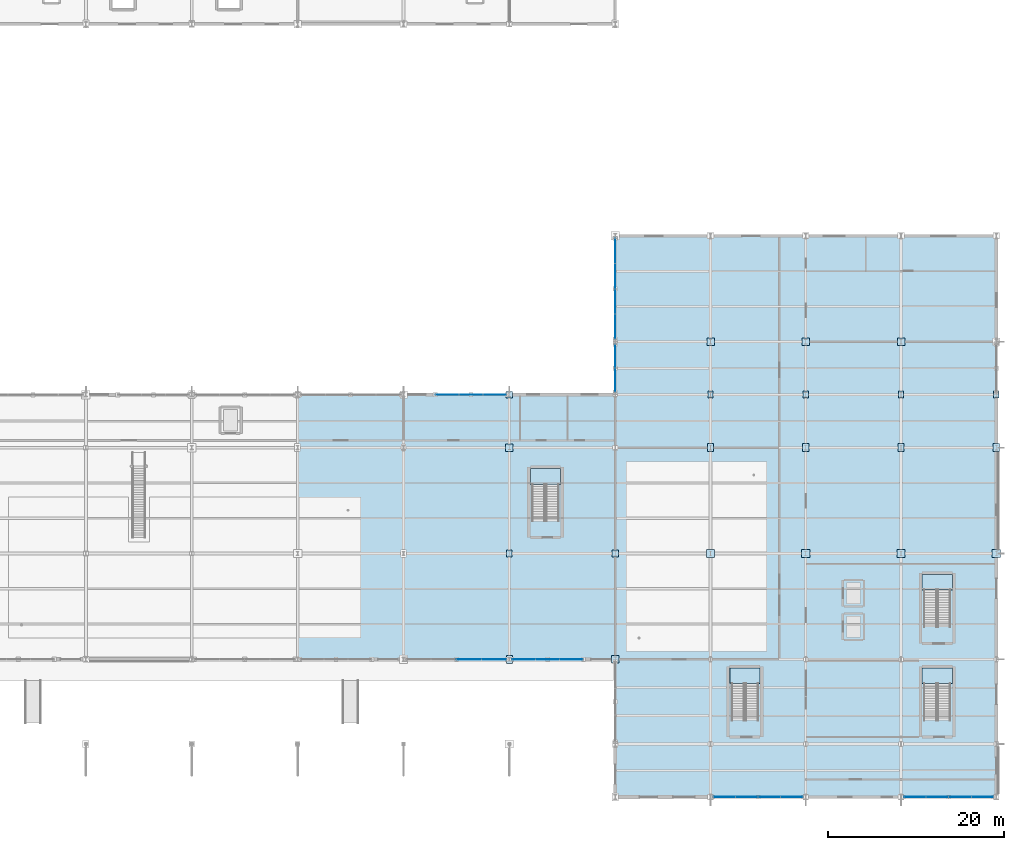
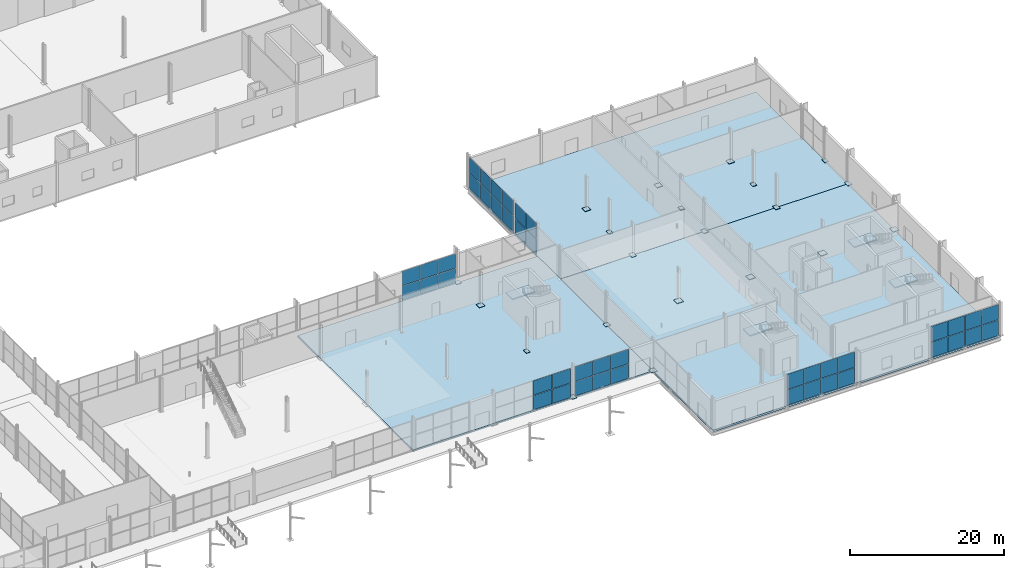
# One storey, part 151 of 196: 65 plates, 7 slabs, 11 elements without a shape of their own.
"""IFC4 building model written with IfcOpenShell, lengths in metres."""

from ifc_helpers import new_model, si_unit, direction, frame, origin, origin_2d, place, context, subcontext, project, spatial, polyline, rectangle, outline, extrude, material, layer, layer_set, type_object, element, aggregate, save


model = new_model("IFC4")

# Units and contexts
model_context = context("Model", 3, precision=1e-05, world=origin(), true_north=direction((0.0, 1.0)))
body_context = subcontext(model_context, "Body", "Model", "MODEL_VIEW")
ifc_project = project(units=[si_unit("LENGTHUNIT", "METRE"), si_unit("AREAUNIT", "SQUARE_METRE"), si_unit("VOLUMEUNIT", "CUBIC_METRE"), si_unit("PLANEANGLEUNIT", "RADIAN"), si_unit("MASSUNIT", "GRAM", prefix="KILO")], contexts=[model_context])

# Site, building, storey
site_placement = place(None, origin())
site = spatial("IfcSite", under=ifc_project, at=site_placement, CompositionType="ELEMENT")
building_placement = place(site_placement, origin())
building = spatial("IfcBuilding", under=site, at=building_placement, Name="Merenkruunu Market Hall", CompositionType="ELEMENT")
storey_placement = place(building_placement, origin())
storey = spatial("IfcBuildingStorey", under=building, at=storey_placement, Name="L00", CompositionType="ELEMENT", Elevation=0.0)

# Plates
ifc_material_1 = material(Name="Steel S355ML", Category="steel")
ifc_layer_1 = layer(ifc_material_1, 0.044921875)
ifc_layer_set_1 = layer_set([ifc_layer_1], Name="Steel S355ML")
plate_type_1 = type_object("IfcPlateType", Name="Column Base Plate BP01", PredefinedType="USERDEFINED", material=ifc_layer_set_1)
for number, where, z_axis, x_axis, name in (
    (1, (136.800048828125, 39.60009765625, 0.0), (0.0, 0.0, 1.0), (1.0, 0.0, 0.0), "PLT-BP-P-05"),
    (2, (148.800048828125, 15.60009765625, 0.0), (0.0, 0.0, 1.0), (1.0, 0.0, 0.0), "PLT-BP-Q-03"),
    (3, (159.60009765625, 51.60009765625, 0.0), (0.0, 0.0, 1.0), (1.0, 0.0, 0.0), "PLT-BP-R-07"),
    (4, (170.39990234375, 51.60009765625, 0.0), (0.0, 0.0, 1.0), (1.0, 0.0, 0.0), "PLT-BP-S-07"),
    (5, (181.199951171875, 51.60009765625, 0.0), (0.0, 0.0, 1.0), (1.0, 0.0, 0.0), "PLT-BP-T-07"),
):
    element("IfcPlate", number, at=place(storey_placement, frame(where, z_axis=z_axis, x_axis=x_axis)), inside=storey, type_object=plate_type_1, Name=name, ObjectType="BASE_PLATE", PredefinedType="USERDEFINED", context=body_context, shape_type="SweptSolid", body=[
        extrude(rectangle(XDim=0.85009765625, YDim=0.85009765625, at=origin_2d()), origin(), (0.0, 0.0, 1.0), 0.044921875),
    ])
ifc_layer_2 = layer(ifc_material_1, 0.0400390625)
ifc_layer_set_2 = layer_set([ifc_layer_2], Name="Steel S355ML")
plate_type_2 = type_object("IfcPlateType", Name="Column Base Plate BP02", PredefinedType="USERDEFINED", material=ifc_layer_set_2)
for number, where, z_axis, x_axis, name in (
    (6, (136.800048828125, 45.60009765625, 0.0), (0.0, 0.0, 1.0), (1.0, 0.0, 0.0), "PLT-BP-P-06"),
    (7, (148.800048828125, 27.60009765625, 0.0), (0.0, 0.0, 1.0), (1.0, 0.0, 0.0), "PLT-BP-Q-04"),
):
    element("IfcPlate", number, at=place(storey_placement, frame(where, z_axis=z_axis, x_axis=x_axis)), inside=storey, type_object=plate_type_2, Name=name, ObjectType="BASE_PLATE", PredefinedType="USERDEFINED", context=body_context, shape_type="SweptSolid", body=[
        extrude(rectangle(XDim=0.75, YDim=0.75, at=origin_2d()), origin(), (0.0, 0.0, 1.0), 0.0400390625),
    ])
ifc_layer_3 = layer(ifc_material_1, 0.050048828125)
ifc_layer_set_3 = layer_set([ifc_layer_3], Name="Steel S355ML")
plate_type_3 = type_object("IfcPlateType", Name="Column Base Plate BP06", PredefinedType="USERDEFINED", material=ifc_layer_set_3)
for number, where, z_axis, x_axis, name in (
    (8, (159.60009765625, 27.60009765625, 0.0), (0.0, 0.0, 1.0), (1.0, 0.0, 0.0), "PLT-BP-R-04"),
    (9, (170.39990234375, 27.60009765625, 0.0), (0.0, 0.0, 1.0), (1.0, 0.0, 0.0), "PLT-BP-S-04"),
    (10, (181.199951171875, 27.60009765625, 0.0), (0.0, 0.0, 1.0), (1.0, 0.0, 0.0), "PLT-BP-T-04"),
    (11, (192.0, 27.60009765625, 0.0), (0.0, 0.0, 1.0), (1.0, 0.0, 0.0), "PLT-BP-U-04"),
):
    element("IfcPlate", number, at=place(storey_placement, frame(where, z_axis=z_axis, x_axis=x_axis)), inside=storey, type_object=plate_type_3, Name=name, ObjectType="BASE_PLATE", PredefinedType="USERDEFINED", context=body_context, shape_type="SweptSolid", body=[
        extrude(rectangle(XDim=0.949951171875, YDim=0.949951171875, at=origin_2d()), origin(), (0.0, 0.0, 1.0), 0.050048828125),
    ])
ifc_layer_4 = layer(ifc_material_1, 0.0419921875)
ifc_layer_set_4 = layer_set([ifc_layer_4], Name="Steel S355ML")
plate_type_4 = type_object("IfcPlateType", Name="Column Base Plate BP07", PredefinedType="USERDEFINED", material=ifc_layer_set_4)
for number, where, z_axis, x_axis, name in (
    (12, (136.800048828125, 15.60009765625, 0.0), (0.0, 0.0, 1.0), (1.0, 0.0, 0.0), "PLT-BP-P-03"),
    (13, (159.60009765625, 39.60009765625, 0.0), (0.0, 0.0, 1.0), (1.0, 0.0, 0.0), "PLT-BP-R-05"),
    (14, (170.39990234375, 39.60009765625, 0.0), (0.0, 0.0, 1.0), (1.0, 0.0, 0.0), "PLT-BP-S-05"),
    (15, (181.199951171875, 39.60009765625, 0.0), (0.0, 0.0, 1.0), (1.0, 0.0, 0.0), "PLT-BP-T-05"),
    (16, (192.0, 39.60009765625, 0.0), (0.0, 0.0, 1.0), (1.0, 0.0, 0.0), "PLT-BP-U-05"),
):
    element("IfcPlate", number, at=place(storey_placement, frame(where, z_axis=z_axis, x_axis=x_axis)), inside=storey, type_object=plate_type_4, Name=name, ObjectType="BASE_PLATE", PredefinedType="USERDEFINED", context=body_context, shape_type="SweptSolid", body=[
        extrude(rectangle(XDim=0.699951171875, YDim=0.89990234375, at=origin_2d()), origin(), (0.0, 0.0, 1.0), 0.0419921875),
    ])
ifc_layer_5 = layer(ifc_material_1, 0.0380859375)
ifc_layer_set_5 = layer_set([ifc_layer_5], Name="Steel S355ML")
plate_type_5 = type_object("IfcPlateType", Name="Column Base Plate BP08", PredefinedType="USERDEFINED", material=ifc_layer_set_5)
for number, where, z_axis, x_axis, name in (
    (17, (136.800048828125, 27.60009765625, 0.0), (0.0, 0.0, 1.0), (1.0, 0.0, 0.0), "PLT-BP-P-04"),
    (18, (159.60009765625, 45.60009765625, 0.0), (0.0, 0.0, 1.0), (1.0, 0.0, 0.0), "PLT-BP-R-06"),
    (19, (170.39990234375, 45.60009765625, 0.0), (0.0, 0.0, 1.0), (1.0, 0.0, 0.0), "PLT-BP-S-06"),
    (20, (181.199951171875, 45.60009765625, 0.0), (0.0, 0.0, 1.0), (1.0, 0.0, 0.0), "PLT-BP-T-06"),
    (21, (192.0, 45.60009765625, 0.0), (0.0, 0.0, 1.0), (1.0, 0.0, 0.0), "PLT-BP-U-06"),
):
    element("IfcPlate", number, at=place(storey_placement, frame(where, z_axis=z_axis, x_axis=x_axis)), inside=storey, type_object=plate_type_5, Name=name, ObjectType="BASE_PLATE", PredefinedType="USERDEFINED", context=body_context, shape_type="SweptSolid", body=[
        extrude(rectangle(XDim=0.60009765625, YDim=0.800048828125, at=origin_2d()), origin(), (0.0, 0.0, 1.0), 0.0380859375),
    ])

# Curtain wall, plates
ifc_material_2 = material(Name="Powder-coated aluminium", Category="aluminium")
curtain_wall_type_1 = type_object("IfcCurtainWallType", Name="Glazed Curtain Wall CW04", PredefinedType="USERDEFINED", material=ifc_material_2)
curtain_wall_1_placement = place(storey_placement, origin())
curtain_wall_1 = element("IfcCurtainWall", 22, at=curtain_wall_1_placement, inside=storey, type_object=curtain_wall_type_1, Name="CW-L00-CWM02-194", ObjectType="GLAZED_FACADE", PredefinedType="USERDEFINED")
ifc_material_3 = material(Name="Triple low-E insulated glass", Category="glass")
ifc_layer_6 = layer(ifc_material_3, 0.0380859375)
ifc_layer_set_6 = layer_set([ifc_layer_6], Name="Triple low-E insulated glass")
plate_type_6 = type_object("IfcPlateType", Name="Curtain Wall Glazing Panel CWP03", PredefinedType="CURTAIN_PANEL", material=ifc_layer_set_6)
plate_1_placement = place(storey_placement, frame((135.074951171875, 15.60009765625, 0.06005859375), z_axis=(0.0, 0.0, 1.0), x_axis=(-1.0, 0.0, 0.0)))
plate_1 = element("IfcPlate", 23, at=plate_1_placement, type_object=plate_type_6, Name="CW04 panel 1.1", PredefinedType="CURTAIN_PANEL", context=body_context, shape_type="SweptSolid", body=[
    extrude(rectangle(XDim=2.77001953125, YDim=0.0380859375, at=origin_2d()), origin(), (0.0, 0.0, 1.0), 2.284912109375),
])
plate_2_placement = place(storey_placement, frame((135.074951171875, 15.60009765625, 2.4052734375), z_axis=(0.0, 0.0, 1.0), x_axis=(-1.0, 0.0, 0.0)))
plate_2 = element("IfcPlate", 24, at=plate_2_placement, type_object=plate_type_6, Name="CW04 panel 1.2", PredefinedType="CURTAIN_PANEL", context=body_context, shape_type="SweptSolid", body=[
    extrude(rectangle(XDim=2.77001953125, YDim=0.0380859375, at=origin_2d()), origin(), (0.0, 0.0, 1.0), 2.284912109375),
])
plate_3_placement = place(storey_placement, frame((132.22998046875, 15.60009765625, 0.06005859375), z_axis=(0.0, 0.0, 1.0), x_axis=(-1.0, 0.0, 0.0)))
plate_3 = element("IfcPlate", 25, at=plate_3_placement, type_object=plate_type_6, Name="CW04 panel 2.1", PredefinedType="CURTAIN_PANEL", context=body_context, shape_type="SweptSolid", body=[
    extrude(rectangle(XDim=2.800048828125, YDim=0.0380859375, at=origin_2d()), origin(), (0.0, 0.0, 1.0), 2.284912109375),
])
plate_4_placement = place(storey_placement, frame((132.22998046875, 15.60009765625, 2.4052734375), z_axis=(0.0, 0.0, 1.0), x_axis=(-1.0, 0.0, 0.0)))
plate_4 = element("IfcPlate", 26, at=plate_4_placement, type_object=plate_type_6, Name="CW04 panel 2.2", PredefinedType="CURTAIN_PANEL", context=body_context, shape_type="SweptSolid", body=[
    extrude(rectangle(XDim=2.800048828125, YDim=0.0380859375, at=origin_2d()), origin(), (0.0, 0.0, 1.0), 2.284912109375),
])
aggregate(curtain_wall_1, [plate_1, plate_2, plate_3, plate_4])

curtain_wall_type_2 = type_object("IfcCurtainWallType", Name="Glazed Curtain Wall CW06", PredefinedType="USERDEFINED", material=ifc_material_2)
curtain_wall_2_placement = place(storey_placement, origin())
curtain_wall_2 = element("IfcCurtainWall", 27, at=curtain_wall_2_placement, inside=storey, type_object=curtain_wall_type_2, Name="CW-L00-CWM01-196", ObjectType="GLAZED_FACADE", PredefinedType="USERDEFINED")
plate_5_placement = place(storey_placement, frame((129.768310546875, 45.60009765625, 0.06005859375), z_axis=(0.0, 0.0, 1.0), x_axis=(1.0, 0.0, 0.0)))
plate_5 = element("IfcPlate", 28, at=plate_5_placement, type_object=plate_type_6, Name="CW06 panel 1.1", PredefinedType="CURTAIN_PANEL", context=body_context, shape_type="SweptSolid", body=[
    extrude(rectangle(XDim=2.61669921875, YDim=0.0380859375, at=origin_2d()), origin(), (0.0, 0.0, 1.0), 2.284912109375),
])
plate_6_placement = place(storey_placement, frame((129.768310546875, 45.60009765625, 2.4052734375), z_axis=(0.0, 0.0, 1.0), x_axis=(1.0, 0.0, 0.0)))
plate_6 = element("IfcPlate", 29, at=plate_6_placement, type_object=plate_type_6, Name="CW06 panel 1.2", PredefinedType="CURTAIN_PANEL", context=body_context, shape_type="SweptSolid", body=[
    extrude(rectangle(XDim=2.61669921875, YDim=0.0380859375, at=origin_2d()), origin(), (0.0, 0.0, 1.0), 2.284912109375),
])
plate_7_placement = place(storey_placement, frame((132.4599609375, 45.60009765625, 0.06005859375), z_axis=(0.0, 0.0, 1.0), x_axis=(1.0, 0.0, 0.0)))
plate_7 = element("IfcPlate", 30, at=plate_7_placement, type_object=plate_type_6, Name="CW06 panel 2.1", PredefinedType="CURTAIN_PANEL", context=body_context, shape_type="SweptSolid", body=[
    extrude(rectangle(XDim=2.646728515625, YDim=0.0380859375, at=origin_2d()), origin(), (0.0, 0.0, 1.0), 2.284912109375),
])
plate_8_placement = place(storey_placement, frame((132.4599609375, 45.60009765625, 2.4052734375), z_axis=(0.0, 0.0, 1.0), x_axis=(1.0, 0.0, 0.0)))
plate_8 = element("IfcPlate", 31, at=plate_8_placement, type_object=plate_type_6, Name="CW06 panel 2.2", PredefinedType="CURTAIN_PANEL", context=body_context, shape_type="SweptSolid", body=[
    extrude(rectangle(XDim=2.646728515625, YDim=0.0380859375, at=origin_2d()), origin(), (0.0, 0.0, 1.0), 2.284912109375),
])
plate_9_placement = place(storey_placement, frame((135.151611328125, 45.60009765625, 0.06005859375), z_axis=(0.0, 0.0, 1.0), x_axis=(1.0, 0.0, 0.0)))
plate_9 = element("IfcPlate", 32, at=plate_9_placement, type_object=plate_type_6, Name="CW06 panel 3.1", PredefinedType="CURTAIN_PANEL", context=body_context, shape_type="SweptSolid", body=[
    extrude(rectangle(XDim=2.61669921875, YDim=0.0380859375, at=origin_2d()), origin(), (0.0, 0.0, 1.0), 2.284912109375),
])
plate_10_placement = place(storey_placement, frame((135.151611328125, 45.60009765625, 2.4052734375), z_axis=(0.0, 0.0, 1.0), x_axis=(1.0, 0.0, 0.0)))
plate_10 = element("IfcPlate", 33, at=plate_10_placement, type_object=plate_type_6, Name="CW06 panel 3.2", PredefinedType="CURTAIN_PANEL", context=body_context, shape_type="SweptSolid", body=[
    extrude(rectangle(XDim=2.61669921875, YDim=0.0380859375, at=origin_2d()), origin(), (0.0, 0.0, 1.0), 2.284912109375),
])
aggregate(curtain_wall_2, [plate_5, plate_6, plate_7, plate_8, plate_9, plate_10])

curtain_wall_3_placement = place(storey_placement, origin())
curtain_wall_3 = element("IfcCurtainWall", 34, at=curtain_wall_3_placement, inside=storey, type_object=curtain_wall_type_2, Name="CW-L00-CWM01-198", ObjectType="GLAZED_FACADE", PredefinedType="USERDEFINED")
plate_11_placement = place(storey_placement, frame((143.831787109375, 15.60009765625, 0.06005859375), z_axis=(0.0, 0.0, 1.0), x_axis=(-1.0, 0.0, 0.0)))
plate_11 = element("IfcPlate", 35, at=plate_11_placement, type_object=plate_type_6, Name="CW06 panel 1.1", PredefinedType="CURTAIN_PANEL", context=body_context, shape_type="SweptSolid", body=[
    extrude(rectangle(XDim=2.61669921875, YDim=0.0380859375, at=origin_2d()), origin(), (0.0, 0.0, 1.0), 2.284912109375),
])
plate_12_placement = place(storey_placement, frame((143.831787109375, 15.60009765625, 2.4052734375), z_axis=(0.0, 0.0, 1.0), x_axis=(-1.0, 0.0, 0.0)))
plate_12 = element("IfcPlate", 36, at=plate_12_placement, type_object=plate_type_6, Name="CW06 panel 1.2", PredefinedType="CURTAIN_PANEL", context=body_context, shape_type="SweptSolid", body=[
    extrude(rectangle(XDim=2.61669921875, YDim=0.0380859375, at=origin_2d()), origin(), (0.0, 0.0, 1.0), 2.284912109375),
])
plate_13_placement = place(storey_placement, frame((141.139892578125, 15.60009765625, 0.06005859375), z_axis=(0.0, 0.0, 1.0), x_axis=(-1.0, 0.0, 0.0)))
plate_13 = element("IfcPlate", 37, at=plate_13_placement, type_object=plate_type_6, Name="CW06 panel 2.1", PredefinedType="CURTAIN_PANEL", context=body_context, shape_type="SweptSolid", body=[
    extrude(rectangle(XDim=2.646728515625, YDim=0.0380859375, at=origin_2d()), origin(), (0.0, 0.0, 1.0), 2.284912109375),
])
plate_14_placement = place(storey_placement, frame((141.139892578125, 15.60009765625, 2.4052734375), z_axis=(0.0, 0.0, 1.0), x_axis=(-1.0, 0.0, 0.0)))
plate_14 = element("IfcPlate", 38, at=plate_14_placement, type_object=plate_type_6, Name="CW06 panel 2.2", PredefinedType="CURTAIN_PANEL", context=body_context, shape_type="SweptSolid", body=[
    extrude(rectangle(XDim=2.646728515625, YDim=0.0380859375, at=origin_2d()), origin(), (0.0, 0.0, 1.0), 2.284912109375),
])
plate_15_placement = place(storey_placement, frame((138.4482421875, 15.60009765625, 0.06005859375), z_axis=(0.0, 0.0, 1.0), x_axis=(-1.0, 0.0, 0.0)))
plate_15 = element("IfcPlate", 39, at=plate_15_placement, type_object=plate_type_6, Name="CW06 panel 3.1", PredefinedType="CURTAIN_PANEL", context=body_context, shape_type="SweptSolid", body=[
    extrude(rectangle(XDim=2.61669921875, YDim=0.0380859375, at=origin_2d()), origin(), (0.0, 0.0, 1.0), 2.284912109375),
])
plate_16_placement = place(storey_placement, frame((138.4482421875, 15.60009765625, 2.4052734375), z_axis=(0.0, 0.0, 1.0), x_axis=(-1.0, 0.0, 0.0)))
plate_16 = element("IfcPlate", 40, at=plate_16_placement, type_object=plate_type_6, Name="CW06 panel 3.2", PredefinedType="CURTAIN_PANEL", context=body_context, shape_type="SweptSolid", body=[
    extrude(rectangle(XDim=2.61669921875, YDim=0.0380859375, at=origin_2d()), origin(), (0.0, 0.0, 1.0), 2.284912109375),
])
aggregate(curtain_wall_3, [plate_11, plate_12, plate_13, plate_14, plate_15, plate_16])

curtain_wall_type_3 = type_object("IfcCurtainWallType", Name="Glazed Curtain Wall CW07", PredefinedType="USERDEFINED", material=ifc_material_2)
curtain_wall_4_placement = place(storey_placement, origin())
curtain_wall_4 = element("IfcCurtainWall", 41, at=curtain_wall_4_placement, inside=storey, type_object=curtain_wall_type_3, Name="CW-L00-CWM03-201", ObjectType="GLAZED_FACADE", PredefinedType="USERDEFINED")
ifc_layer_7 = layer(ifc_material_3, 0.035888671875)
ifc_layer_set_7 = layer_set([ifc_layer_7], Name="Triple low-E insulated glass")
plate_type_7 = type_object("IfcPlateType", Name="Curtain Wall Glazing Panel CWP05", PredefinedType="CURTAIN_PANEL", material=ifc_layer_set_7)
plate_17_placement = place(storey_placement, frame((168.824951171875, 0.0, 0.06005859375), z_axis=(0.0, 0.0, 1.0), x_axis=(-1.0, 0.0, 0.0)))
plate_17 = element("IfcPlate", 42, at=plate_17_placement, type_object=plate_type_7, Name="CW07 panel 1.1", PredefinedType="CURTAIN_PANEL", context=body_context, shape_type="SweptSolid", body=[
    extrude(rectangle(XDim=2.469970703125, YDim=0.035888671875, at=origin_2d()), origin(), (0.0, 0.0, 1.0), 2.43505859375),
])
plate_18_placement = place(storey_placement, frame((168.824951171875, 0.0, 2.554931640625), z_axis=(0.0, 0.0, 1.0), x_axis=(-1.0, 0.0, 0.0)))
plate_18 = element("IfcPlate", 43, at=plate_18_placement, type_object=plate_type_7, Name="CW07 panel 1.2", PredefinedType="CURTAIN_PANEL", context=body_context, shape_type="SweptSolid", body=[
    extrude(rectangle(XDim=2.469970703125, YDim=0.035888671875, at=origin_2d()), origin(), (0.0, 0.0, 1.0), 2.43505859375),
])
plate_19_placement = place(storey_placement, frame((166.280029296875, 0.0, 0.06005859375), z_axis=(0.0, 0.0, 1.0), x_axis=(-1.0, 0.0, 0.0)))
plate_19 = element("IfcPlate", 44, at=plate_19_placement, type_object=plate_type_7, Name="CW07 panel 2.1", PredefinedType="CURTAIN_PANEL", context=body_context, shape_type="SweptSolid", body=[
    extrude(rectangle(XDim=2.5, YDim=0.035888671875, at=origin_2d()), origin(), (0.0, 0.0, 1.0), 2.43505859375),
])
plate_20_placement = place(storey_placement, frame((166.280029296875, 0.0, 2.554931640625), z_axis=(0.0, 0.0, 1.0), x_axis=(-1.0, 0.0, 0.0)))
plate_20 = element("IfcPlate", 45, at=plate_20_placement, type_object=plate_type_7, Name="CW07 panel 2.2", PredefinedType="CURTAIN_PANEL", context=body_context, shape_type="SweptSolid", body=[
    extrude(rectangle(XDim=2.5, YDim=0.035888671875, at=origin_2d()), origin(), (0.0, 0.0, 1.0), 2.43505859375),
])
plate_21_placement = place(storey_placement, frame((163.719970703125, 0.0, 0.06005859375), z_axis=(0.0, 0.0, 1.0), x_axis=(-1.0, 0.0, 0.0)))
plate_21 = element("IfcPlate", 46, at=plate_21_placement, type_object=plate_type_7, Name="CW07 panel 3.1", PredefinedType="CURTAIN_PANEL", context=body_context, shape_type="SweptSolid", body=[
    extrude(rectangle(XDim=2.5, YDim=0.035888671875, at=origin_2d()), origin(), (0.0, 0.0, 1.0), 2.43505859375),
])
plate_22_placement = place(storey_placement, frame((163.719970703125, 0.0, 2.554931640625), z_axis=(0.0, 0.0, 1.0), x_axis=(-1.0, 0.0, 0.0)))
plate_22 = element("IfcPlate", 47, at=plate_22_placement, type_object=plate_type_7, Name="CW07 panel 3.2", PredefinedType="CURTAIN_PANEL", context=body_context, shape_type="SweptSolid", body=[
    extrude(rectangle(XDim=2.5, YDim=0.035888671875, at=origin_2d()), origin(), (0.0, 0.0, 1.0), 2.43505859375),
])
plate_23_placement = place(storey_placement, frame((161.175048828125, 0.0, 0.06005859375), z_axis=(0.0, 0.0, 1.0), x_axis=(-1.0, 0.0, 0.0)))
plate_23 = element("IfcPlate", 48, at=plate_23_placement, type_object=plate_type_7, Name="CW07 panel 4.1", PredefinedType="CURTAIN_PANEL", context=body_context, shape_type="SweptSolid", body=[
    extrude(rectangle(XDim=2.469970703125, YDim=0.035888671875, at=origin_2d()), origin(), (0.0, 0.0, 1.0), 2.43505859375),
])
plate_24_placement = place(storey_placement, frame((161.175048828125, 0.0, 2.554931640625), z_axis=(0.0, 0.0, 1.0), x_axis=(-1.0, 0.0, 0.0)))
plate_24 = element("IfcPlate", 49, at=plate_24_placement, type_object=plate_type_7, Name="CW07 panel 4.2", PredefinedType="CURTAIN_PANEL", context=body_context, shape_type="SweptSolid", body=[
    extrude(rectangle(XDim=2.469970703125, YDim=0.035888671875, at=origin_2d()), origin(), (0.0, 0.0, 1.0), 2.43505859375),
])
aggregate(curtain_wall_4, [plate_17, plate_18, plate_19, plate_20, plate_21, plate_22, plate_23, plate_24])

curtain_wall_5_placement = place(storey_placement, origin())
curtain_wall_5 = element("IfcCurtainWall", 50, at=curtain_wall_5_placement, inside=storey, type_object=curtain_wall_type_3, Name="CW-L00-CWM03-202", ObjectType="GLAZED_FACADE", PredefinedType="USERDEFINED")
plate_25_placement = place(storey_placement, frame((190.425048828125, 0.0, 0.06005859375), z_axis=(0.0, 0.0, 1.0), x_axis=(-1.0, 0.0, 0.0)))
plate_25 = element("IfcPlate", 51, at=plate_25_placement, type_object=plate_type_7, Name="CW07 panel 1.1", PredefinedType="CURTAIN_PANEL", context=body_context, shape_type="SweptSolid", body=[
    extrude(rectangle(XDim=2.469970703125, YDim=0.035888671875, at=origin_2d()), origin(), (0.0, 0.0, 1.0), 2.43505859375),
])
plate_26_placement = place(storey_placement, frame((190.425048828125, 0.0, 2.554931640625), z_axis=(0.0, 0.0, 1.0), x_axis=(-1.0, 0.0, 0.0)))
plate_26 = element("IfcPlate", 52, at=plate_26_placement, type_object=plate_type_7, Name="CW07 panel 1.2", PredefinedType="CURTAIN_PANEL", context=body_context, shape_type="SweptSolid", body=[
    extrude(rectangle(XDim=2.469970703125, YDim=0.035888671875, at=origin_2d()), origin(), (0.0, 0.0, 1.0), 2.43505859375),
])
plate_27_placement = place(storey_placement, frame((187.8798828125, 0.0, 0.06005859375), z_axis=(0.0, 0.0, 1.0), x_axis=(-1.0, 0.0, 0.0)))
plate_27 = element("IfcPlate", 53, at=plate_27_placement, type_object=plate_type_7, Name="CW07 panel 2.1", PredefinedType="CURTAIN_PANEL", context=body_context, shape_type="SweptSolid", body=[
    extrude(rectangle(XDim=2.5, YDim=0.035888671875, at=origin_2d()), origin(), (0.0, 0.0, 1.0), 2.43505859375),
])
plate_28_placement = place(storey_placement, frame((187.8798828125, 0.0, 2.554931640625), z_axis=(0.0, 0.0, 1.0), x_axis=(-1.0, 0.0, 0.0)))
plate_28 = element("IfcPlate", 54, at=plate_28_placement, type_object=plate_type_7, Name="CW07 panel 2.2", PredefinedType="CURTAIN_PANEL", context=body_context, shape_type="SweptSolid", body=[
    extrude(rectangle(XDim=2.5, YDim=0.035888671875, at=origin_2d()), origin(), (0.0, 0.0, 1.0), 2.43505859375),
])
plate_29_placement = place(storey_placement, frame((185.320068359375, 0.0, 0.06005859375), z_axis=(0.0, 0.0, 1.0), x_axis=(-1.0, 0.0, 0.0)))
plate_29 = element("IfcPlate", 55, at=plate_29_placement, type_object=plate_type_7, Name="CW07 panel 3.1", PredefinedType="CURTAIN_PANEL", context=body_context, shape_type="SweptSolid", body=[
    extrude(rectangle(XDim=2.5, YDim=0.035888671875, at=origin_2d()), origin(), (0.0, 0.0, 1.0), 2.43505859375),
])
plate_30_placement = place(storey_placement, frame((185.320068359375, 0.0, 2.554931640625), z_axis=(0.0, 0.0, 1.0), x_axis=(-1.0, 0.0, 0.0)))
plate_30 = element("IfcPlate", 56, at=plate_30_placement, type_object=plate_type_7, Name="CW07 panel 3.2", PredefinedType="CURTAIN_PANEL", context=body_context, shape_type="SweptSolid", body=[
    extrude(rectangle(XDim=2.5, YDim=0.035888671875, at=origin_2d()), origin(), (0.0, 0.0, 1.0), 2.43505859375),
])
plate_31_placement = place(storey_placement, frame((182.77490234375, 0.0, 0.06005859375), z_axis=(0.0, 0.0, 1.0), x_axis=(-1.0, 0.0, 0.0)))
plate_31 = element("IfcPlate", 57, at=plate_31_placement, type_object=plate_type_7, Name="CW07 panel 4.1", PredefinedType="CURTAIN_PANEL", context=body_context, shape_type="SweptSolid", body=[
    extrude(rectangle(XDim=2.469970703125, YDim=0.035888671875, at=origin_2d()), origin(), (0.0, 0.0, 1.0), 2.43505859375),
])
plate_32_placement = place(storey_placement, frame((182.77490234375, 0.0, 2.554931640625), z_axis=(0.0, 0.0, 1.0), x_axis=(-1.0, 0.0, 0.0)))
plate_32 = element("IfcPlate", 58, at=plate_32_placement, type_object=plate_type_7, Name="CW07 panel 4.2", PredefinedType="CURTAIN_PANEL", context=body_context, shape_type="SweptSolid", body=[
    extrude(rectangle(XDim=2.469970703125, YDim=0.035888671875, at=origin_2d()), origin(), (0.0, 0.0, 1.0), 2.43505859375),
])
aggregate(curtain_wall_5, [plate_25, plate_26, plate_27, plate_28, plate_29, plate_30, plate_31, plate_32])

curtain_wall_type_4 = type_object("IfcCurtainWallType", Name="Glazed Curtain Wall CW14", PredefinedType="USERDEFINED", material=ifc_material_2)
curtain_wall_6_placement = place(storey_placement, origin())
curtain_wall_6 = element("IfcCurtainWall", 59, at=curtain_wall_6_placement, inside=storey, type_object=curtain_wall_type_4, Name="CW-L00-CWM02-205", ObjectType="GLAZED_FACADE", PredefinedType="USERDEFINED")
ifc_layer_8 = layer(ifc_material_3, 0.0380859375)
ifc_layer_set_8 = layer_set([ifc_layer_8], Name="Triple low-E insulated glass")
plate_type_8 = type_object("IfcPlateType", Name="Curtain Wall Glazing Panel CWP10", PredefinedType="CURTAIN_PANEL", material=ifc_layer_set_8)
plate_33_placement = place(storey_placement, frame((148.800048828125, 47.2548828125, 0.06005859375), z_axis=(0.0, 0.0, 1.0), x_axis=(0.0, 1.0, 0.0)))
plate_33 = element("IfcPlate", 60, at=plate_33_placement, type_object=plate_type_8, Name="CW14 panel 1.1", PredefinedType="CURTAIN_PANEL", context=body_context, shape_type="SweptSolid", body=[
    extrude(rectangle(XDim=2.6298828125, YDim=0.0380859375, at=origin_2d()), origin(), (0.0, 0.0, 1.0), 2.43505859375),
])
plate_34_placement = place(storey_placement, frame((148.800048828125, 47.2548828125, 2.554931640625), z_axis=(0.0, 0.0, 1.0), x_axis=(0.0, 1.0, 0.0)))
plate_34 = element("IfcPlate", 61, at=plate_34_placement, type_object=plate_type_8, Name="CW14 panel 1.2", PredefinedType="CURTAIN_PANEL", context=body_context, shape_type="SweptSolid", body=[
    extrude(rectangle(XDim=2.6298828125, YDim=0.0380859375, at=origin_2d()), origin(), (0.0, 0.0, 1.0), 2.43505859375),
])
plate_35_placement = place(storey_placement, frame((148.800048828125, 49.945068359375, 0.06005859375), z_axis=(0.0, 0.0, 1.0), x_axis=(0.0, 1.0, 0.0)))
plate_35 = element("IfcPlate", 62, at=plate_35_placement, type_object=plate_type_8, Name="CW14 panel 2.1", PredefinedType="CURTAIN_PANEL", context=body_context, shape_type="SweptSolid", body=[
    extrude(rectangle(XDim=2.6298828125, YDim=0.0380859375, at=origin_2d()), origin(), (0.0, 0.0, 1.0), 2.43505859375),
])
plate_36_placement = place(storey_placement, frame((148.800048828125, 49.945068359375, 2.554931640625), z_axis=(0.0, 0.0, 1.0), x_axis=(0.0, 1.0, 0.0)))
plate_36 = element("IfcPlate", 63, at=plate_36_placement, type_object=plate_type_8, Name="CW14 panel 2.2", PredefinedType="CURTAIN_PANEL", context=body_context, shape_type="SweptSolid", body=[
    extrude(rectangle(XDim=2.6298828125, YDim=0.0380859375, at=origin_2d()), origin(), (0.0, 0.0, 1.0), 2.43505859375),
])
aggregate(curtain_wall_6, [plate_33, plate_34, plate_35, plate_36])

curtain_wall_7_placement = place(storey_placement, origin())
curtain_wall_7 = element("IfcCurtainWall", 64, at=curtain_wall_7_placement, inside=storey, type_object=curtain_wall_type_4, Name="CW-L00-CWM02-206", ObjectType="GLAZED_FACADE", PredefinedType="USERDEFINED")
plate_37_placement = place(storey_placement, frame((148.800048828125, 53.324951171875, 0.06005859375), z_axis=(0.0, 0.0, 1.0), x_axis=(0.0, 1.0, 0.0)))
plate_37 = element("IfcPlate", 65, at=plate_37_placement, type_object=plate_type_8, Name="CW14 panel 1.1", PredefinedType="CURTAIN_PANEL", context=body_context, shape_type="SweptSolid", body=[
    extrude(rectangle(XDim=2.77001953125, YDim=0.0380859375, at=origin_2d()), origin(), (0.0, 0.0, 1.0), 2.43505859375),
])
plate_38_placement = place(storey_placement, frame((148.800048828125, 53.324951171875, 2.554931640625), z_axis=(0.0, 0.0, 1.0), x_axis=(0.0, 1.0, 0.0)))
plate_38 = element("IfcPlate", 66, at=plate_38_placement, type_object=plate_type_8, Name="CW14 panel 1.2", PredefinedType="CURTAIN_PANEL", context=body_context, shape_type="SweptSolid", body=[
    extrude(rectangle(XDim=2.77001953125, YDim=0.0380859375, at=origin_2d()), origin(), (0.0, 0.0, 1.0), 2.43505859375),
])
plate_39_placement = place(storey_placement, frame((148.800048828125, 56.169921875, 0.06005859375), z_axis=(0.0, 0.0, 1.0), x_axis=(0.0, 1.0, 0.0)))
plate_39 = element("IfcPlate", 67, at=plate_39_placement, type_object=plate_type_8, Name="CW14 panel 2.1", PredefinedType="CURTAIN_PANEL", context=body_context, shape_type="SweptSolid", body=[
    extrude(rectangle(XDim=2.800048828125, YDim=0.0380859375, at=origin_2d()), origin(), (0.0, 0.0, 1.0), 2.43505859375),
])
plate_40_placement = place(storey_placement, frame((148.800048828125, 56.169921875, 2.554931640625), z_axis=(0.0, 0.0, 1.0), x_axis=(0.0, 1.0, 0.0)))
plate_40 = element("IfcPlate", 68, at=plate_40_placement, type_object=plate_type_8, Name="CW14 panel 2.2", PredefinedType="CURTAIN_PANEL", context=body_context, shape_type="SweptSolid", body=[
    extrude(rectangle(XDim=2.800048828125, YDim=0.0380859375, at=origin_2d()), origin(), (0.0, 0.0, 1.0), 2.43505859375),
])
plate_41_placement = place(storey_placement, frame((148.800048828125, 59.030029296875, 0.06005859375), z_axis=(0.0, 0.0, 1.0), x_axis=(0.0, 1.0, 0.0)))
plate_41 = element("IfcPlate", 69, at=plate_41_placement, type_object=plate_type_8, Name="CW14 panel 3.1", PredefinedType="CURTAIN_PANEL", context=body_context, shape_type="SweptSolid", body=[
    extrude(rectangle(XDim=2.800048828125, YDim=0.0380859375, at=origin_2d()), origin(), (0.0, 0.0, 1.0), 2.43505859375),
])
plate_42_placement = place(storey_placement, frame((148.800048828125, 59.030029296875, 2.554931640625), z_axis=(0.0, 0.0, 1.0), x_axis=(0.0, 1.0, 0.0)))
plate_42 = element("IfcPlate", 70, at=plate_42_placement, type_object=plate_type_8, Name="CW14 panel 3.2", PredefinedType="CURTAIN_PANEL", context=body_context, shape_type="SweptSolid", body=[
    extrude(rectangle(XDim=2.800048828125, YDim=0.0380859375, at=origin_2d()), origin(), (0.0, 0.0, 1.0), 2.43505859375),
])
plate_43_placement = place(storey_placement, frame((148.800048828125, 61.875, 0.06005859375), z_axis=(0.0, 0.0, 1.0), x_axis=(0.0, 1.0, 0.0)))
plate_43 = element("IfcPlate", 71, at=plate_43_placement, type_object=plate_type_8, Name="CW14 panel 4.1", PredefinedType="CURTAIN_PANEL", context=body_context, shape_type="SweptSolid", body=[
    extrude(rectangle(XDim=2.77001953125, YDim=0.0380859375, at=origin_2d()), origin(), (0.0, 0.0, 1.0), 2.43505859375),
])
plate_44_placement = place(storey_placement, frame((148.800048828125, 61.875, 2.554931640625), z_axis=(0.0, 0.0, 1.0), x_axis=(0.0, 1.0, 0.0)))
plate_44 = element("IfcPlate", 72, at=plate_44_placement, type_object=plate_type_8, Name="CW14 panel 4.2", PredefinedType="CURTAIN_PANEL", context=body_context, shape_type="SweptSolid", body=[
    extrude(rectangle(XDim=2.77001953125, YDim=0.0380859375, at=origin_2d()), origin(), (0.0, 0.0, 1.0), 2.43505859375),
])
aggregate(curtain_wall_7, [plate_37, plate_38, plate_39, plate_40, plate_41, plate_42, plate_43, plate_44])

# Stair, slab
ifc_material_4 = material(Name="Concrete C35/45", Category="concrete")
stair_type_1 = type_object("IfcStairType", Name="Two Flight Half Turn Stair ST02", PredefinedType="TWO_STRAIGHT_RUN_STAIR", material=ifc_material_4)
stair_1_placement = place(storey_placement, origin())
stair_1 = element("IfcStair", 73, at=stair_1_placement, inside=storey, type_object=stair_type_1, Name="Protected Stair ST09 (K5 L00-L01)", PredefinedType="TWO_STRAIGHT_RUN_STAIR")
ifc_layer_9 = layer(ifc_material_4, 0.18994140625)
ifc_layer_set_9 = layer_set([ifc_layer_9], Name="Concrete C35/45")
slab_type_1 = type_object("IfcSlabType", Name="Stair Half Landing LS01", PredefinedType="LANDING", material=ifc_layer_set_9)
slab_1_placement = place(storey_placement, frame((0.0, 0.0, 2.510009765625)))
slab_1 = element("IfcSlab", 74, at=slab_1_placement, type_object=slab_type_1, Name="ST09 landing 1", PredefinedType="LANDING", context=body_context, shape_type="SweptSolid", body=[
    extrude(outline(polyline([(183.5849609375, 12.840087890625), (187.014892578125, 12.840087890625), (187.014892578125, 14.614990234375), (183.5849609375, 14.614990234375), (183.5849609375, 12.840087890625)])), origin(), (0.0, 0.0, 1.0), 0.18994140625),
])
aggregate(stair_1, [slab_1])

stair_type_2 = type_object("IfcStairType", Name="Two Flight Half Turn Stair ST05", PredefinedType="TWO_STRAIGHT_RUN_STAIR", material=ifc_material_4)
stair_2_placement = place(storey_placement, origin())
stair_2 = element("IfcStair", 75, at=stair_2_placement, inside=storey, type_object=stair_type_2, Name="Protected Stair ST13 (K6 L00-L01)", PredefinedType="TWO_STRAIGHT_RUN_STAIR")
slab_2_placement = place(storey_placement, frame((0.0, 0.0, 2.510009765625)))
slab_2 = element("IfcSlab", 76, at=slab_2_placement, type_object=slab_type_1, Name="ST13 landing 1", PredefinedType="LANDING", context=body_context, shape_type="SweptSolid", body=[
    extrude(outline(polyline([(183.5849609375, 23.43994140625), (187.014892578125, 23.43994140625), (187.014892578125, 25.215087890625), (183.5849609375, 25.215087890625), (183.5849609375, 23.43994140625)])), origin(), (0.0, 0.0, 1.0), 0.18994140625),
])
aggregate(stair_2, [slab_2])

stair_3_placement = place(storey_placement, origin())
stair_3 = element("IfcStair", 77, at=stair_3_placement, inside=storey, type_object=stair_type_2, Name="Protected Stair ST18 (K8 L00-L01)", PredefinedType="TWO_STRAIGHT_RUN_STAIR")
slab_3_placement = place(storey_placement, frame((0.0, 0.0, 2.510009765625)))
slab_3 = element("IfcSlab", 78, at=slab_3_placement, type_object=slab_type_1, Name="ST18 landing 1", PredefinedType="LANDING", context=body_context, shape_type="SweptSolid", body=[
    extrude(outline(polyline([(139.18505859375, 35.43994140625), (142.614990234375, 35.43994140625), (142.614990234375, 37.215087890625), (139.18505859375, 37.215087890625), (139.18505859375, 35.43994140625)])), origin(), (0.0, 0.0, 1.0), 0.18994140625),
])
aggregate(stair_3, [slab_3])

stair_4_placement = place(storey_placement, origin())
stair_4 = element("IfcStair", 79, at=stair_4_placement, inside=storey, type_object=stair_type_2, Name="Protected Stair ST19 (K9 L00-L01)", PredefinedType="TWO_STRAIGHT_RUN_STAIR")
slab_4_placement = place(storey_placement, frame((0.0, 0.0, 2.510009765625)))
slab_4 = element("IfcSlab", 80, at=slab_4_placement, type_object=slab_type_1, Name="ST19 landing 1", PredefinedType="LANDING", context=body_context, shape_type="SweptSolid", body=[
    extrude(outline(polyline([(161.784912109375, 12.840087890625), (165.215087890625, 12.840087890625), (165.215087890625, 14.614990234375), (161.784912109375, 14.614990234375), (161.784912109375, 12.840087890625)])), origin(), (0.0, 0.0, 1.0), 0.18994140625),
])
aggregate(stair_4, [slab_4])

# Slabs
ifc_layer_10 = layer(ifc_material_4, 0.300048828125)
ifc_layer_set_10 = layer_set([ifc_layer_10], Name="Concrete C35/45")
slab_type_2 = type_object("IfcSlabType", Name="Suspended Floor Slab FS02", PredefinedType="FLOOR", material=ifc_layer_set_10)
slab_5_placement = place(storey_placement, frame((0.0, 0.0, -0.300048828125)))
element("IfcSlab", 81, at=slab_5_placement, inside=storey, type_object=slab_type_2, Name="SL-L00-V2E", PredefinedType="FLOOR", context=body_context, shape_type="SweptSolid", body=[
    extrude(outline(polyline([(112.800048828125, 15.60009765625), (148.800048828125, 15.60009765625), (148.800048828125, 45.60009765625), (112.800048828125, 45.60009765625), (112.800048828125, 15.60009765625)])), origin(), (0.0, 0.0, 1.0), 0.300048828125),
])
slab_6_placement = place(storey_placement, frame((0.0, 0.0, -0.300048828125)))
element("IfcSlab", 82, at=slab_6_placement, inside=storey, type_object=slab_type_2, Name="SL-L00-V3S", PredefinedType="FLOOR", context=body_context, shape_type="SweptSolid", body=[
    extrude(outline(polyline([(148.800048828125, 0.0), (192.0, 0.0), (192.0, 39.60009765625), (148.800048828125, 39.60009765625), (148.800048828125, 0.0)])), origin(), (0.0, 0.0, 1.0), 0.300048828125),
])
slab_7_placement = place(storey_placement, frame((0.0, 0.0, -0.300048828125)))
element("IfcSlab", 83, at=slab_7_placement, inside=storey, type_object=slab_type_2, Name="SL-L00-V3N", PredefinedType="FLOOR", context=body_context, shape_type="SweptSolid", body=[
    extrude(outline(polyline([(148.800048828125, 39.60009765625), (192.0, 39.60009765625), (192.0, 63.60009765625), (148.800048828125, 63.60009765625), (148.800048828125, 39.60009765625)])), origin(), (0.0, 0.0, 1.0), 0.300048828125),
])

save(model, "model.ifc")
